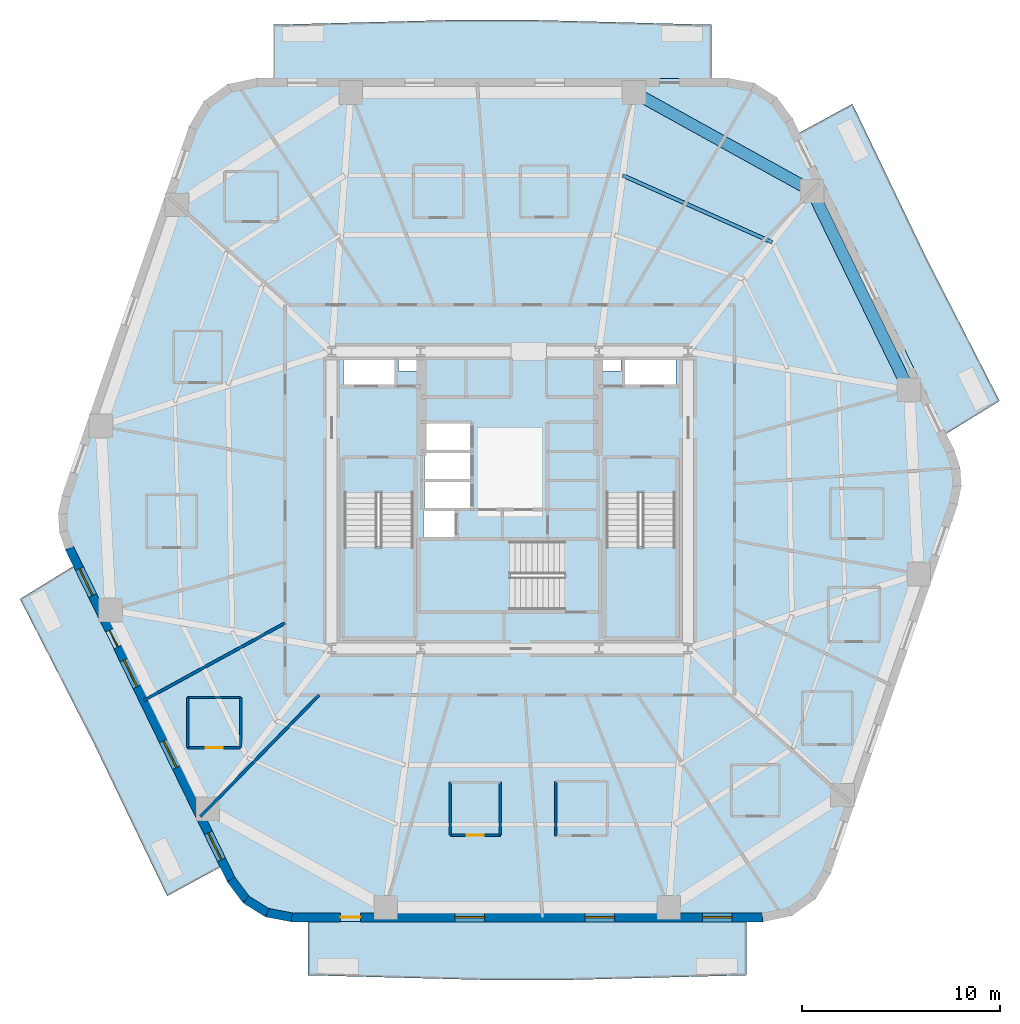
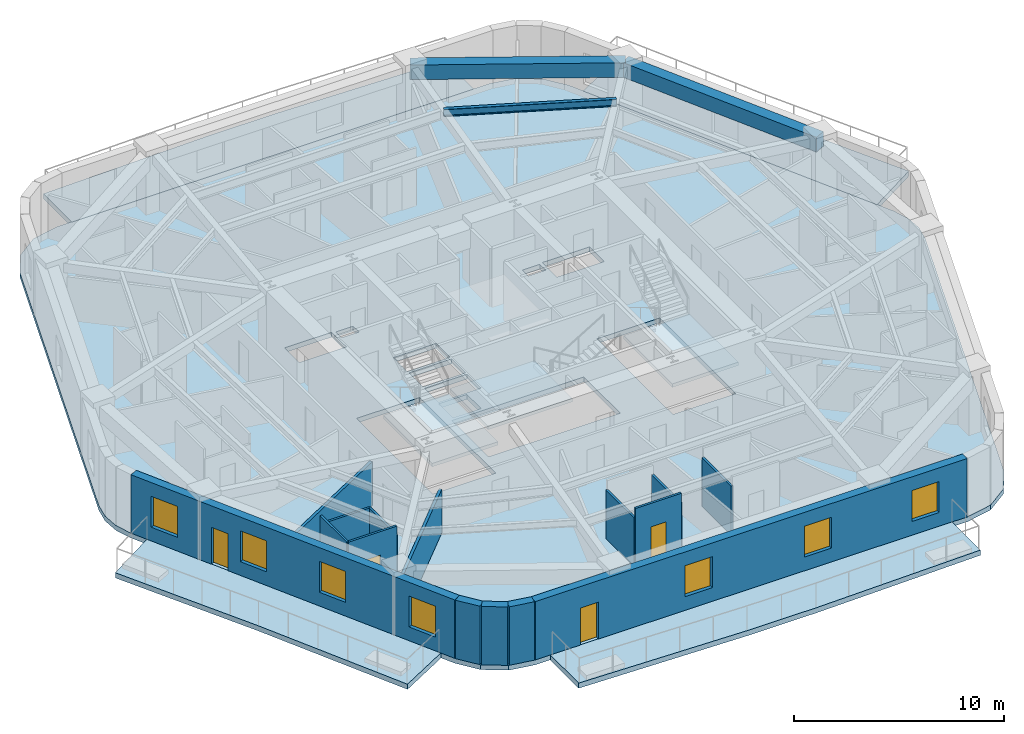
# One storey, part 2 of 10: 15 walls, 8 slabs, 7 windows, 4 doors, 3 beams, 11 openings, 3 elements without a shape of their own.
"""IFC4 building model written with IfcOpenShell, lengths in metres."""

import ifcopenshell
import ifcopenshell.guid

model = None  # the IFC model being written
_history = None  # IfcOwnerHistory: only IFC2X3 demands one
_inside = {}  # id of a spatial element -> (the spatial element, [elements in it])
_under = {}  # id of a project, library or spatial element -> (it, [spatial elements below it])
_declared = {}  # id of a project -> (the project, [libraries it declares])
_typed = {}  # id of a type object -> (the type object, [elements of that type])
_made_of = {}  # id of a material, layer set ... -> (it, [elements and type objects made of it])


def new_model(schema):
    """Start an empty IFC model of exactly this schema.

    Asked for "IFC4X3", IfcOpenShell would pick the latest addendum, in which some entities
    have other attributes; the version numbers below select the first issue.
    IFC2X3 requires an IfcOwnerHistory on every rooted entity: one is made here for all.
    """
    global model, _history
    if schema == "IFC4X3":
        model = ifcopenshell.file(schema_version=(4, 3, 0, 0))
    else:
        model = ifcopenshell.file(schema=schema)
    _inside.clear()
    _under.clear()
    _declared.clear()
    _typed.clear()
    _made_of.clear()
    _history = None
    if model.schema == "IFC2X3":
        org = make("IfcOrganization", Name="unknown")
        user = make(
            "IfcPersonAndOrganization",
            ThePerson=make("IfcPerson", FamilyName="unknown"),
            TheOrganization=org,
        )
        app = make(
            "IfcApplication",
            ApplicationDeveloper=org,
            Version="unknown",
            ApplicationFullName="unknown",
            ApplicationIdentifier="unknown",
        )
        _history = make(
            "IfcOwnerHistory",
            OwningUser=user,
            OwningApplication=app,
            ChangeAction="ADDED",
            CreationDate=0,
        )
    return model


def make(cls, **values):
    """One entity of the class cls with the attributes given. An attribute that is None is left unset."""
    return model.create_entity(
        cls, **{name: value for name, value in values.items() if value is not None}
    )


def rooted(cls, **values):
    """An entity with a GlobalId (a new one), such as an element, a storey or a relation."""
    return make(cls, GlobalId=ifcopenshell.guid.new(), OwnerHistory=_history, **values)


def si_unit(unit_type, name, prefix=None):
    """IfcSIUnit, for example si_unit("LENGTHUNIT", "METRE", prefix="MILLI")."""
    return make("IfcSIUnit", UnitType=unit_type, Prefix=prefix, Name=name)


def assignment(units):
    """IfcUnitAssignment: the units of a project."""
    return None if units is None else make("IfcUnitAssignment", Units=units)


def point(xyz):
    """IfcCartesianPoint."""
    return None if xyz is None else make("IfcCartesianPoint", Coordinates=xyz)


def direction(xyz):
    """IfcDirection."""
    return None if xyz is None else make("IfcDirection", DirectionRatios=xyz)


def frame(location, z_axis=None, x_axis=None):
    """IfcAxis2Placement3D, a coordinate frame: its origin and axes. An axis left out is left unset."""
    return make(
        "IfcAxis2Placement3D",
        Location=point(location),
        Axis=direction(z_axis),
        RefDirection=direction(x_axis),
    )


def frame_2d(location, x_axis=None):
    """IfcAxis2Placement2D, a coordinate frame in the plane: its origin and x axis."""
    return make(
        "IfcAxis2Placement2D", Location=point(location), RefDirection=direction(x_axis)
    )


def origin():
    """The frame at (0, 0, 0) with its axes left unset."""
    return frame((0.0, 0.0, 0.0))


def origin_2d():
    """The frame at (0, 0) in the plane with its x axis left unset."""
    return frame_2d((0.0, 0.0))


def place(relative_to, where):
    """IfcLocalPlacement: puts the frame where relative to a parent placement (None: the world)."""
    return make(
        "IfcLocalPlacement", PlacementRelTo=relative_to, RelativePlacement=where
    )


def context(
    kind, dimensions, precision=None, world=None, true_north=None, identifier=None
):
    """IfcGeometricRepresentationContext, for example the 3D "Model" context."""
    return make(
        "IfcGeometricRepresentationContext",
        ContextIdentifier=identifier,
        ContextType=kind,
        CoordinateSpaceDimension=dimensions,
        Precision=precision,
        WorldCoordinateSystem=world,
        TrueNorth=true_north,
    )


def subcontext(parent, identifier, kind, view, scale=None):
    """IfcGeometricRepresentationSubContext, for example "Body" below "Model"."""
    return make(
        "IfcGeometricRepresentationSubContext",
        ContextIdentifier=identifier,
        ContextType=kind,
        ParentContext=parent,
        TargetScale=scale,
        TargetView=view,
    )


def project(units=None, contexts=None):
    """IfcProject with its units and contexts."""
    return rooted(
        "IfcProject",
        Name="project",
        RepresentationContexts=contexts,
        UnitsInContext=assignment(units),
    )


def spatial(cls, under=None, at=None, **own):
    """A site, building, storey or space (cls), placed at a placement, below another one or the project."""
    s = rooted(cls, ObjectPlacement=at, **own)
    if under is not None:
        _under.setdefault(under.id(), (under, []))[1].append(s)
    return s


def polyline(points):
    """IfcPolyline through the points."""
    return make("IfcPolyline", Points=[point(p) for p in points])


def profile(cls, at=None, kind="AREA", **sizes):
    """A parametric profile (cls). Its sizes go by their IFC names, for example OverallWidth=200.0."""
    return make(cls, ProfileType=kind, Position=at, **sizes)


def rectangle(**sizes):
    """IfcRectangleProfileDef."""
    return profile("IfcRectangleProfileDef", **sizes)


def i_section(**sizes):
    """IfcIShapeProfileDef."""
    return profile("IfcIShapeProfileDef", **sizes)


def outline(outer, holes=None, kind="AREA"):
    """IfcArbitraryClosedProfileDef: a profile drawn as a closed curve; with holes, ...WithVoids."""
    if holes is None:
        return make("IfcArbitraryClosedProfileDef", ProfileType=kind, OuterCurve=outer)
    return make(
        "IfcArbitraryProfileDefWithVoids",
        ProfileType=kind,
        OuterCurve=outer,
        InnerCurves=holes,
    )


def extrude(swept, where, along, depth):
    """IfcExtrudedAreaSolid: the profile swept, set in the frame where, extruded along a direction by depth."""
    return make(
        "IfcExtrudedAreaSolid",
        SweptArea=swept,
        Position=where,
        ExtrudedDirection=direction(along),
        Depth=depth,
    )


def shape(context_of_items, identifier, shape_type, items):
    """IfcShapeRepresentation: the items that make up one representation, for example the "Body"."""
    return make(
        "IfcShapeRepresentation",
        ContextOfItems=context_of_items,
        RepresentationIdentifier=identifier,
        RepresentationType=shape_type,
        Items=items,
    )


def material(Name=None, Category=None):
    """IfcMaterial."""
    return make("IfcMaterial", Name=Name, Category=Category)


def layer(
    of_material, thickness, ventilated=None, Name=None, Category=None, Priority=None
):
    """IfcMaterialLayer: one layer of a wall or slab, of a material (None: an air gap)."""
    return make(
        "IfcMaterialLayer",
        Material=of_material,
        LayerThickness=thickness,
        IsVentilated=ventilated,
        Name=Name,
        Category=Category,
        Priority=Priority,
    )


def layer_set(layers, Name=None):
    """IfcMaterialLayerSet."""
    return make("IfcMaterialLayerSet", MaterialLayers=layers, LayerSetName=Name)


def material_profile(
    of_material, cross_section, Name=None, Category=None, Priority=None
):
    """IfcMaterialProfile: a cross section and its material."""
    return make(
        "IfcMaterialProfile",
        Name=Name,
        Material=of_material,
        Profile=cross_section,
        Priority=Priority,
        Category=Category,
    )


def profile_set(profiles, Name=None, composite=None):
    """IfcMaterialProfileSet."""
    return make(
        "IfcMaterialProfileSet",
        Name=Name,
        MaterialProfiles=profiles,
        CompositeProfile=composite,
    )


def made_of(thing, what):
    """Note that an element or type object is made of a material, layer set ...; save() writes the relation."""
    if what is not None:
        _made_of.setdefault(what.id(), (what, []))[1].append(thing)
    return thing


def type_object(cls, material=None, **own):
    """A type object (cls), such as IfcWallType, which elements share."""
    return made_of(rooted(cls, **own), material)


def element(
    cls,
    number,
    at=None,
    inside=None,
    cuts=None,
    type_object=None,
    material=None,
    context=None,
    identifier="Body",
    shape_type=None,
    held_by="IfcProductDefinitionShape",
    body=None,
    shapes=None,
    **own,
):
    """One element of the class cls, such as IfcWall. Its Tag is "e" and its number.

    at: its placement. inside: the storey or other place that contains it. cuts: it is an
    opening in that element (IfcRelVoidsElement). A single representation is given by context,
    identifier, shape_type and body (its items); several are given by shapes. held_by: the class
    of the entity that holds the representations. save() writes the other relations.
    """
    e = rooted(cls, Tag="e%d" % number, ObjectPlacement=at, **own)
    if body is not None:
        shapes = [shape(context, identifier, shape_type, body)]
    if shapes is not None:
        e.Representation = make(held_by, Representations=shapes)
    if inside is not None:
        _inside.setdefault(inside.id(), (inside, []))[1].append(e)
    if cuts is not None:
        rooted(
            "IfcRelVoidsElement", RelatingBuildingElement=cuts, RelatedOpeningElement=e
        )
    if type_object is not None:
        _typed.setdefault(type_object.id(), (type_object, []))[1].append(e)
    return made_of(e, material)


def fill(opening, filler):
    """IfcRelFillsElement: the door or window that sits in an opening."""
    return rooted(
        "IfcRelFillsElement",
        RelatingOpeningElement=opening,
        RelatedBuildingElement=filler,
    )


def aggregate(whole, parts):
    """IfcRelAggregates: a whole, such as a stair, and the parts it consists of."""
    return rooted("IfcRelAggregates", RelatingObject=whole, RelatedObjects=parts)


def save(model, path):
    """Write the relations noted so far, then the file.

    IfcRelAggregates (storeys below a building ...), IfcRelContainedInSpatialStructure (elements
    in a storey), IfcRelDefinesByType, IfcRelAssociatesMaterial and IfcRelDeclares: one each for
    every whole, place, type object, material and project.
    """
    for whole, parts in _under.values():
        aggregate(whole, parts)
    for where, things in _inside.values():
        rooted(
            "IfcRelContainedInSpatialStructure",
            RelatedElements=things,
            RelatingStructure=where,
        )
    for kind, things in _typed.values():
        rooted("IfcRelDefinesByType", RelatedObjects=things, RelatingType=kind)
    for what, things in _made_of.values():
        rooted("IfcRelAssociatesMaterial", RelatedObjects=things, RelatingMaterial=what)
    for by, libraries in _declared.values():
        rooted("IfcRelDeclares", RelatingContext=by, RelatedDefinitions=libraries)
    model.write(path)


model = new_model("IFC4")

# Units and contexts
model_context = context("Model", 3, precision=1e-05, world=origin(), true_north=direction((0.0, 1.0)))
body_context = subcontext(model_context, "Body", "Model", "MODEL_VIEW")
ifc_project = project(units=[si_unit("LENGTHUNIT", "METRE"), si_unit("AREAUNIT", "SQUARE_METRE"), si_unit("VOLUMEUNIT", "CUBIC_METRE"), si_unit("PLANEANGLEUNIT", "RADIAN"), si_unit("MASSUNIT", "GRAM", prefix="KILO")], contexts=[model_context])

# Site, building, storey
site_placement = place(None, origin())
site = spatial("IfcSite", under=ifc_project, at=site_placement, CompositionType="ELEMENT")
building_placement = place(site_placement, origin())
building = spatial("IfcBuilding", under=site, at=building_placement, Name="Kilnhurst Terrace Hotel", CompositionType="ELEMENT")
storey_placement = place(building_placement, frame((0.0, 0.0, 98.800048828125)))
storey = spatial("IfcBuildingStorey", under=building, at=storey_placement, Name="L23", CompositionType="ELEMENT", Elevation=98.800048828125)

# Beams
ifc_material_1 = material(Name="Concrete C50/60", Category="concrete")
ifc_material_profile_1 = material_profile(ifc_material_1, rectangle(XDim=0.60009765625, YDim=0.85009765625, at=origin_2d()), Name="RC600X850")
ifc_profile_set_1 = profile_set([ifc_material_profile_1], Name="Concrete C50/60")
beam_type_1 = type_object("IfcBeamType", Name="BM-SPN-600X850", PredefinedType="SPANDREL", material=ifc_profile_set_1)
beam_1_placement = place(storey_placement, frame((20.1640625, 5.549072265625, 2.974853515625), z_axis=(-0.438406012271, 0.89877704043, 0.0), x_axis=(-0.89877704043, -0.438406012271, 0.0)))
element("IfcBeam", 1, at=beam_1_placement, inside=storey, type_object=beam_type_1, Name="L23 Perimeter Spandrel Beam 5", PredefinedType="SPANDREL", context=body_context, shape_type="SweptSolid", body=[
    extrude(rectangle(XDim=0.60009765625, YDim=0.85009765625, at=origin_2d()), origin(), (0.0, 0.0, 1.0), 11.19287109375),
])
beam_2_placement = place(storey_placement, frame((15.257080078125, 15.60888671875, 2.974853515625), z_axis=(-0.875094010429, 0.483952965598, 0.0), x_axis=(-0.483952965598, -0.875094010429, 0.0)))
element("IfcBeam", 2, at=beam_2_placement, inside=storey, type_object=beam_type_1, Name="L23 Perimeter Spandrel Beam 6", PredefinedType="SPANDREL", context=body_context, shape_type="SweptSolid", body=[
    extrude(rectangle(XDim=0.60009765625, YDim=0.85009765625, at=origin_2d()), origin(), (0.0, 0.0, 1.0), 10.27197265625),
])
ifc_material_2 = material(Name="Steel ASTM A992 Grade 50", Category="steel")
ifc_material_profile_2 = material_profile(ifc_material_2, i_section(OverallWidth=0.180908203125, OverallDepth=0.417236328125, WebThickness=0.010986328125, FlangeThickness=0.018310546875, at=origin_2d()), Name="W16X57")
ifc_profile_set_2 = profile_set([ifc_material_profile_2], Name="Steel ASTM A992 Grade 50")
beam_type_2 = type_object("IfcBeamType", Name="JST-STL-W16X57", PredefinedType="JOIST", material=ifc_profile_set_2)
beam_3_placement = place(storey_placement, frame((13.2548828125, 13.01416015625, 3.19091796875), z_axis=(-0.912760935806, 0.408494154262, 0.0), x_axis=(-0.408494154262, -0.912760935806, 0.0)))
element("IfcBeam", 3, at=beam_3_placement, inside=storey, type_object=beam_type_2, Name="L23 Secondary Floor Steel Joist OUT.6", PredefinedType="JOIST", context=body_context, shape_type="SweptSolid", body=[
    extrude(i_section(OverallWidth=0.180908203125, OverallDepth=0.417236328125, WebThickness=0.010986328125, FlangeThickness=0.018310546875, at=origin_2d()), origin(), (0.0, 0.0, 1.0), 8.274658203125),
])

# Slabs
ifc_layer_1 = layer(ifc_material_1, 0.300048828125, Name="Concrete C50/60")
ifc_layer_set_1 = layer_set([ifc_layer_1], Name="Concrete C50/60")
slab_type_1 = type_object("IfcSlabType", Name="SLB-BAL-300", PredefinedType="FLOOR", material=ifc_layer_set_1)
slab_1_placement = place(storey_placement, frame((0.0, 0.0, -0.300048828125)))
element("IfcSlab", 4, at=slab_1_placement, inside=storey, type_object=slab_type_1, Name="L23 Cantilevered Planted Terrace Slab BAL-L1A", PredefinedType="FLOOR", context=body_context, shape_type="SweptSolid", body=[
    extrude(outline(polyline([(21.044921875, 12.205810546875), (24.734130859375, 5.0), (22.023193359375, 3.333740234375), (14.6083984375, 18.53564453125), (17.301513671875, 20.0), (21.044921875, 12.205810546875)])), origin(), (0.0, 0.0, 1.0), 0.300048828125),
])
slab_2_placement = place(storey_placement, frame((0.0, 0.0, -0.300048828125)))
element("IfcSlab", 5, at=slab_2_placement, inside=storey, type_object=slab_type_1, Name="L23 Cantilevered Planted Terrace Slab BAL-L1B", PredefinedType="FLOOR", context=body_context, shape_type="SweptSolid", body=[
    extrude(outline(polyline([(1.027099609375, 24.239990234375), (10.18310546875, 24.0), (10.18310546875, 21.280029296875), (-11.943603515625, 21.280029296875), (-11.943603515625, 24.0), (-2.787841796875, 24.239990234375), (1.027099609375, 24.239990234375)])), origin(), (0.0, 0.0, 1.0), 0.300048828125),
])
slab_3_placement = place(storey_placement, frame((0.0, 0.0, -0.300048828125)))
element("IfcSlab", 6, at=slab_3_placement, inside=storey, type_object=slab_type_1, Name="L23 Cantilevered Planted Terrace Slab BAL-L2A", PredefinedType="FLOOR", context=body_context, shape_type="SweptSolid", body=[
    extrude(outline(polyline([(-24.734130859375, -5.0), (-22.023193359375, -3.333740234375), (-14.6083984375, -18.53564453125), (-17.301513671875, -20.0), (-21.044921875, -12.205810546875), (-24.734130859375, -5.0)])), origin(), (0.0, 0.0, 1.0), 0.300048828125),
])
slab_4_placement = place(storey_placement, frame((0.0, 0.0, -0.300048828125)))
element("IfcSlab", 7, at=slab_4_placement, inside=storey, type_object=slab_type_1, Name="L23 Cantilevered Planted Terrace Slab BAL-L2B", PredefinedType="FLOOR", context=body_context, shape_type="SweptSolid", body=[
    extrude(outline(polyline([(-1.027099609375, -24.239990234375), (-10.18310546875, -24.0), (-10.18310546875, -21.280029296875), (11.943603515625, -21.280029296875), (11.943603515625, -24.0), (2.787841796875, -24.239990234375), (-1.027099609375, -24.239990234375)])), origin(), (0.0, 0.0, 1.0), 0.300048828125),
])
ifc_layer_2 = layer(ifc_material_1, 0.280029296875, Name="Concrete C50/60")
ifc_layer_set_2 = layer_set([ifc_layer_2], Name="Concrete C50/60")
slab_type_2 = type_object("IfcSlabType", Name="SLB-FLR-280", PredefinedType="FLOOR", material=ifc_layer_set_2)
slab_5_placement = place(storey_placement, frame((0.0, 0.0, -0.280029296875)))
element("IfcSlab", 8, at=slab_5_placement, inside=storey, type_object=slab_type_2, Name="L23 Structural Floor Slab", PredefinedType="FLOOR", context=body_context, shape_type="SweptSolid", body=[
    extrude(outline(polyline([(-14.2685546875, -19.2783203125), (-13.472900390625, -20.34716796875), (-12.342529296875, -21.05322265625), (-11.032958984375, -21.300048828125), (12.793701171875, -21.300048828125), (14.23876953125, -20.997314453125), (15.44091796875, -20.139892578125), (16.197509765625, -18.872314453125), (22.614501953125, -0.238525390625), (22.8017578125, 0.6826171875), (22.744384765625, 1.62060546875), (22.4462890625, 2.51171875), (14.2685546875, 19.2783203125), (13.472900390625, 20.34716796875), (12.342529296875, 21.05322265625), (11.032958984375, 21.300048828125), (-12.793701171875, 21.300048828125), (-14.23876953125, 20.997314453125), (-15.44091796875, 20.139892578125), (-16.197509765625, 18.872314453125), (-22.614501953125, 0.238525390625), (-22.8017578125, -0.6826171875), (-22.744384765625, -1.62060546875), (-22.4462890625, -2.51171875), (-14.2685546875, -19.2783203125)]), holes=[polyline([(-8.35009765625, 0.35498046875), (-4.8798828125, 0.35498046875), (-4.8798828125, -6.89990234375), (-8.35009765625, -6.89990234375), (-8.35009765625, 0.35498046875)]), polyline([(-2.800048828125, -1.89990234375), (-4.35009765625, -1.89990234375), (-4.35009765625, -0.550048828125), (-2.800048828125, -0.550048828125), (-2.800048828125, -1.89990234375)]), polyline([(-1.949951171875, -0.429931640625), (-4.300048828125, -0.429931640625), (-4.300048828125, 0.89990234375), (-1.949951171875, 0.89990234375), (-1.949951171875, -0.429931640625)]), polyline([(-4.300048828125, 1.050048828125), (-4.300048828125, 2.3798828125), (-1.949951171875, 2.3798828125), (-1.949951171875, 1.050048828125), (-4.300048828125, 1.050048828125)]), polyline([(-8.39990234375, 5.75), (-8.39990234375, 7.14990234375), (-5.800048828125, 7.14990234375), (-5.800048828125, 5.75), (-8.39990234375, 5.75)]), polyline([(-4.659912109375, 6.52001953125), (-5.6201171875, 6.52001953125), (-5.6201171875, 7.080078125), (-4.659912109375, 7.080078125), (-4.659912109375, 6.52001953125)]), polyline([(2.7548828125, -5.550048828125), (-4.5, -5.550048828125), (-4.5, -2.080078125), (2.7548828125, -2.080078125), (2.7548828125, -5.550048828125)]), polyline([(8.35009765625, 0.35498046875), (8.35009765625, -6.89990234375), (4.8798828125, -6.89990234375), (4.8798828125, 0.35498046875), (8.35009765625, 0.35498046875)]), polyline([(-1.949951171875, 2.530029296875), (-4.300048828125, 2.530029296875), (-4.300048828125, 3.860107421875), (-1.949951171875, 3.860107421875), (-1.949951171875, 2.530029296875)]), polyline([(5.800048828125, 5.75), (5.800048828125, 7.14990234375), (8.39990234375, 7.14990234375), (8.39990234375, 5.75), (5.800048828125, 5.75)]), polyline([(4.659912109375, 6.52001953125), (4.659912109375, 7.080078125), (5.6201171875, 7.080078125), (5.6201171875, 6.52001953125), (4.659912109375, 6.52001953125)])]), origin(), (0.0, 0.0, 1.0), 0.280029296875),
])

# Stair, slab
stair_type = type_object("IfcStairType", Name="STR-CORE-1660", PredefinedType="HALF_TURN_STAIR", material=ifc_material_1)
stair_1_placement = place(storey_placement, origin())
stair_1 = element("IfcStair", 9, at=stair_1_placement, inside=storey, type_object=stair_type, Name="L23 ST-1", PredefinedType="HALF_TURN_STAIR")
ifc_layer_3 = layer(ifc_material_1, 0.199951171875, Name="Concrete C50/60")
ifc_layer_set_3 = layer_set([ifc_layer_3], Name="Concrete C50/60")
slab_type_3 = type_object("IfcSlabType", Name="SLB-ST-LND-200", PredefinedType="LANDING", material=ifc_layer_set_3)
slab_6_placement = place(storey_placement, frame((0.0, 0.0, 1.64990234375)))
slab_6 = element("IfcSlab", 10, at=slab_6_placement, type_object=slab_type_3, Name="ST-1 landing 1", PredefinedType="LANDING", context=body_context, shape_type="SweptSolid", body=[
    extrude(outline(polyline([(-8.429931640625, -2.330078125), (-4.800048828125, -2.330078125), (-4.800048828125, -6.97998046875), (-8.429931640625, -6.97998046875), (-8.429931640625, -2.330078125)])), origin(), (0.0, 0.0, 1.0), 0.199951171875),
])
aggregate(stair_1, [slab_6])

stair_2_placement = place(storey_placement, origin())
stair_2 = element("IfcStair", 11, at=stair_2_placement, inside=storey, type_object=stair_type, Name="L23 ST-2", PredefinedType="HALF_TURN_STAIR")
slab_7_placement = place(storey_placement, frame((0.0, 0.0, 1.64990234375)))
slab_7 = element("IfcSlab", 12, at=slab_7_placement, type_object=slab_type_3, Name="ST-2 landing 1", PredefinedType="LANDING", context=body_context, shape_type="SweptSolid", body=[
    extrude(outline(polyline([(4.800048828125, -2.330078125), (8.429931640625, -2.330078125), (8.429931640625, -6.97998046875), (4.800048828125, -6.97998046875), (4.800048828125, -2.330078125)])), origin(), (0.0, 0.0, 1.0), 0.199951171875),
])
aggregate(stair_2, [slab_7])

stair_3_placement = place(storey_placement, origin())
stair_3 = element("IfcStair", 13, at=stair_3_placement, inside=storey, type_object=stair_type, Name="L23 ST-3", PredefinedType="HALF_TURN_STAIR")
slab_8_placement = place(storey_placement, frame((0.0, 0.0, 1.64990234375)))
slab_8 = element("IfcSlab", 14, at=slab_8_placement, type_object=slab_type_3, Name="ST-3 landing 1", PredefinedType="LANDING", context=body_context, shape_type="SweptSolid", body=[
    extrude(outline(polyline([(0.070068359375, -2.0), (0.070068359375, -5.6298828125), (-4.580078125, -5.6298828125), (-4.580078125, -2.0), (0.070068359375, -2.0)])), origin(), (0.0, 0.0, 1.0), 0.199951171875),
])
aggregate(stair_3, [slab_8])

# Walls
ifc_material_3 = material(Name="Precast concrete C40/50", Category="concrete")
ifc_layer_4 = layer(ifc_material_3, 0.449951171875, Name="Precast concrete C40/50")
ifc_layer_set_4 = layer_set([ifc_layer_4], Name="Precast concrete C40/50")
wall_type_1 = type_object("IfcWallType", Name="WL-BRK-450", PredefinedType="SOLIDWALL", material=ifc_layer_set_4)
wall_1_placement = place(storey_placement, frame((-14.07568359375, -19.16064453125, 0.0), z_axis=(0.0, 0.0, 1.0), x_axis=(0.597226657159, -0.802072515412, 0.0)))
element("IfcWall", 15, at=wall_1_placement, inside=storey, type_object=wall_type_1, Name="L23 Rounded Corner Brick Wall C1.1", PredefinedType="SOLIDWALL", context=body_context, shape_type="SweptSolid", body=[
    extrude(rectangle(XDim=1.269287109375, YDim=0.449951171875, at=frame_2d((0.634765625, 0.0))), origin(), (0.0, 0.0, 1.0), 3.39990234375),
])
wall_2_placement = place(storey_placement, frame((-13.317626953125, -20.1787109375, 0.0), z_axis=(0.0, 0.0, 1.0), x_axis=(0.848031272749, -0.529946186362, 0.0)))
element("IfcWall", 16, at=wall_2_placement, inside=storey, type_object=wall_type_1, Name="L23 Rounded Corner Brick Wall C1.2", PredefinedType="SOLIDWALL", context=body_context, shape_type="SweptSolid", body=[
    extrude(rectangle(XDim=1.248046875, YDim=0.449951171875, at=frame_2d((0.6240234375, 0.0))), origin(), (0.0, 0.0, 1.0), 3.39990234375),
])
wall_3_placement = place(storey_placement, frame((-12.25927734375, -20.840087890625, 0.0), z_axis=(0.0, 0.0, 1.0), x_axis=(0.982730354425, -0.185043374624, 0.0)))
element("IfcWall", 17, at=wall_3_placement, inside=storey, type_object=wall_type_1, Name="L23 Rounded Corner Brick Wall C1.3", PredefinedType="SOLIDWALL", context=body_context, shape_type="SweptSolid", body=[
    extrude(rectangle(XDim=1.269287109375, YDim=0.449951171875, at=frame_2d((0.634765625, 0.0))), origin(), (0.0, 0.0, 1.0), 3.39990234375),
])

# Wall, openings, door, windows
wall_4_placement = place(storey_placement, frame((-11.011962890625, -21.074951171875, 0.0), z_axis=(0.0, 0.0, 1.0), x_axis=(1.0, 0.0, 0.0)))
wall_4 = element("IfcWall", 18, at=wall_4_placement, inside=storey, type_object=wall_type_1, Name="L23 Exterior Brick Facade Wall F1", PredefinedType="SOLIDWALL", context=body_context, shape_type="SweptSolid", body=[
    extrude(rectangle(XDim=23.782470703125, YDim=0.449951171875, at=frame_2d((11.89111328125, 0.0))), origin(), (0.0, 0.0, 1.0), 3.39990234375),
])
opening_1_placement = place(wall_4_placement, frame((2.472900390625, 0.0, 0.0)))
opening_1 = element("IfcOpeningElement", 19, at=opening_1_placement, cuts=wall_4, Name="Opening BD-1000", PredefinedType="OPENING", context=body_context, shape_type="SweptSolid", body=[
    extrude(rectangle(XDim=1.0, YDim=2.14990234375, at=frame_2d((0.5, 1.074951171875))), frame((0.0, 0.23486328125, 0.0), z_axis=(0.0, -1.0, 0.0), x_axis=(1.0, 0.0, 0.0)), (0.0, 0.0, 1.0), 0.469970703125),
])
opening_2_placement = place(wall_4_placement, frame((8.243896484375, 0.0, 0.800048828125)))
opening_2 = element("IfcOpeningElement", 20, at=opening_2_placement, cuts=wall_4, Name="Opening W-02", PredefinedType="OPENING", context=body_context, shape_type="SweptSolid", body=[
    extrude(rectangle(XDim=1.5, YDim=1.800048828125, at=frame_2d((0.75, 0.89990234375))), frame((0.0, 0.23486328125, 0.0), z_axis=(0.0, -1.0, 0.0), x_axis=(1.0, 0.0, 0.0)), (0.0, 0.0, 1.0), 0.469970703125),
])
opening_3_placement = place(wall_4_placement, frame((14.81103515625, 0.0, 0.800048828125)))
opening_3 = element("IfcOpeningElement", 21, at=opening_3_placement, cuts=wall_4, Name="Opening W-02", PredefinedType="OPENING", context=body_context, shape_type="SweptSolid", body=[
    extrude(rectangle(XDim=1.5, YDim=1.800048828125, at=frame_2d((0.75, 0.89990234375))), frame((0.0, 0.23486328125, 0.0), z_axis=(0.0, -1.0, 0.0), x_axis=(1.0, 0.0, 0.0)), (0.0, 0.0, 1.0), 0.469970703125),
])
opening_4_placement = place(wall_4_placement, frame((20.740966796875, 0.0, 0.800048828125)))
opening_4 = element("IfcOpeningElement", 22, at=opening_4_placement, cuts=wall_4, Name="Opening W-02", PredefinedType="OPENING", context=body_context, shape_type="SweptSolid", body=[
    extrude(rectangle(XDim=1.5, YDim=1.800048828125, at=frame_2d((0.75, 0.89990234375))), frame((0.0, 0.23486328125, 0.0), z_axis=(0.0, -1.0, 0.0), x_axis=(1.0, 0.0, 0.0)), (0.0, 0.0, 1.0), 0.469970703125),
])
ifc_material_4 = material(Name="Thermally Broken Bronze Aluminium Alloy 6063-T6 and Laminated Glass", Category="aluminium")
door_type_1 = type_object("IfcDoorType", Name="DR-EXT-BAL-1000", OperationType="NOTDEFINED", PredefinedType="DOOR", material=ifc_material_4)
door_1_placement = place(opening_1_placement, origin())
door_1 = element("IfcDoor", 23, at=door_1_placement, inside=storey, type_object=door_type_1, Name="L23 Planted Balcony Door BAL-L2B", OperationType="SINGLE_SWING_LEFT", OverallHeight=2.14990234375, OverallWidth=1.0, PredefinedType="DOOR", context=body_context, shape_type="SweptSolid", body=[
    extrude(rectangle(XDim=1.0, YDim=2.14990234375, at=frame_2d((0.5, 1.074951171875))), frame((0.0, 0.02490234375, 0.0), z_axis=(0.0, -1.0, 0.0), x_axis=(1.0, 0.0, 0.0)), (0.0, 0.0, 1.0), 0.050048828125),
])
fill(opening_1, door_1)
ifc_material_5 = material(Name="Thermally Broken Bronze Aluminium Alloy 6063-T6 and Low-E Glass", Category="aluminium")
window_type = type_object("IfcWindowType", Name="WIN-1500X1800", PartitioningType="SINGLE_PANEL", PredefinedType="WINDOW", material=ifc_material_5)
window_1_placement = place(opening_2_placement, origin())
window_1 = element("IfcWindow", 24, at=window_1_placement, inside=storey, type_object=window_type, Name="L23 Deep-Set Masonry Window F1.1", OverallHeight=1.800048828125, OverallWidth=1.5, PartitioningType="SINGLE_PANEL", PredefinedType="WINDOW", context=body_context, shape_type="SweptSolid", body=[
    extrude(rectangle(XDim=1.5, YDim=1.800048828125, at=frame_2d((0.75, 0.89990234375))), frame((0.0, 0.030029296875, 0.0), z_axis=(0.0, -1.0, 0.0), x_axis=(1.0, 0.0, 0.0)), (0.0, 0.0, 1.0), 0.06005859375),
])
fill(opening_2, window_1)
window_2_placement = place(opening_3_placement, origin())
window_2 = element("IfcWindow", 25, at=window_2_placement, inside=storey, type_object=window_type, Name="L23 Deep-Set Masonry Window F1.2", OverallHeight=1.800048828125, OverallWidth=1.5, PartitioningType="SINGLE_PANEL", PredefinedType="WINDOW", context=body_context, shape_type="SweptSolid", body=[
    extrude(rectangle(XDim=1.5, YDim=1.800048828125, at=frame_2d((0.75, 0.89990234375))), frame((0.0, 0.030029296875, 0.0), z_axis=(0.0, -1.0, 0.0), x_axis=(1.0, 0.0, 0.0)), (0.0, 0.0, 1.0), 0.06005859375),
])
fill(opening_3, window_2)
window_3_placement = place(opening_4_placement, origin())
window_3 = element("IfcWindow", 26, at=window_3_placement, inside=storey, type_object=window_type, Name="L23 Deep-Set Masonry Window F1.3", OverallHeight=1.800048828125, OverallWidth=1.5, PartitioningType="SINGLE_PANEL", PredefinedType="WINDOW", context=body_context, shape_type="SweptSolid", body=[
    extrude(rectangle(XDim=1.5, YDim=1.800048828125, at=frame_2d((0.75, 0.89990234375))), frame((0.0, 0.030029296875, 0.0), z_axis=(0.0, -1.0, 0.0), x_axis=(1.0, 0.0, 0.0)), (0.0, 0.0, 1.0), 0.06005859375),
])
fill(opening_4, window_3)

wall_5_placement = place(storey_placement, frame((-22.237548828125, -2.426513671875, 0.0), z_axis=(0.0, 0.0, 1.0), x_axis=(0.438374803278, -0.898792262901, 0.0)))
wall_5 = element("IfcWall", 27, at=wall_5_placement, inside=storey, type_object=wall_type_1, Name="L23 Exterior Brick Facade Wall F6", PredefinedType="SOLIDWALL", context=body_context, shape_type="SweptSolid", body=[
    extrude(rectangle(XDim=18.618408203125, YDim=0.449951171875, at=frame_2d((9.30908203125, 0.0))), origin(), (0.0, 0.0, 1.0), 3.39990234375),
])
opening_5_placement = place(wall_5_placement, frame((4.6201171875, 0.0, 0.0)))
opening_5 = element("IfcOpeningElement", 28, at=opening_5_placement, cuts=wall_5, Name="Opening BD-950", PredefinedType="OPENING", context=body_context, shape_type="SweptSolid", body=[
    extrude(rectangle(XDim=0.949951171875, YDim=2.14990234375, at=frame_2d((0.47509765625, 1.074951171875))), frame((0.0, 0.23486328125, 0.0), z_axis=(0.0, -1.0, 0.0), x_axis=(1.0, 0.0, 0.0)), (0.0, 0.0, 1.0), 0.469970703125),
])
opening_6_placement = place(wall_5_placement, frame((1.1630859375, 0.0, 0.800048828125)))
opening_6 = element("IfcOpeningElement", 29, at=opening_6_placement, cuts=wall_5, Name="Opening W-02", PredefinedType="OPENING", context=body_context, shape_type="SweptSolid", body=[
    extrude(rectangle(XDim=1.5, YDim=1.800048828125, at=frame_2d((0.75, 0.89990234375))), frame((0.0, 0.23486328125, 0.0), z_axis=(0.0, -1.0, 0.0), x_axis=(1.0, 0.0, 0.0)), (0.0, 0.0, 1.0), 0.469970703125),
])
opening_7_placement = place(wall_5_placement, frame((6.291015625, 0.0, 0.800048828125)))
opening_7 = element("IfcOpeningElement", 30, at=opening_7_placement, cuts=wall_5, Name="Opening W-02", PredefinedType="OPENING", context=body_context, shape_type="SweptSolid", body=[
    extrude(rectangle(XDim=1.5, YDim=1.800048828125, at=frame_2d((0.75, 0.89990234375))), frame((0.0, 0.23486328125, 0.0), z_axis=(0.0, -1.0, 0.0), x_axis=(1.0, 0.0, 0.0)), (0.0, 0.0, 1.0), 0.469970703125),
])
opening_8_placement = place(wall_5_placement, frame((10.8310546875, 0.0, 0.800048828125)))
opening_8 = element("IfcOpeningElement", 31, at=opening_8_placement, cuts=wall_5, Name="Opening W-02", PredefinedType="OPENING", context=body_context, shape_type="SweptSolid", body=[
    extrude(rectangle(XDim=1.5, YDim=1.800048828125, at=frame_2d((0.75, 0.89990234375))), frame((0.0, 0.23486328125, 0.0), z_axis=(0.0, -1.0, 0.0), x_axis=(1.0, 0.0, 0.0)), (0.0, 0.0, 1.0), 0.469970703125),
])
opening_9_placement = place(wall_5_placement, frame((16.006103515625, 0.0, 0.800048828125)))
opening_9 = element("IfcOpeningElement", 32, at=opening_9_placement, cuts=wall_5, Name="Opening W-02", PredefinedType="OPENING", context=body_context, shape_type="SweptSolid", body=[
    extrude(rectangle(XDim=1.5, YDim=1.800048828125, at=frame_2d((0.75, 0.89990234375))), frame((0.0, 0.23486328125, 0.0), z_axis=(0.0, -1.0, 0.0), x_axis=(1.0, 0.0, 0.0)), (0.0, 0.0, 1.0), 0.469970703125),
])
door_type_2 = type_object("IfcDoorType", Name="DR-EXT-BAL-950", OperationType="NOTDEFINED", PredefinedType="DOOR", material=ifc_material_4)
door_2_placement = place(opening_5_placement, origin())
door_2 = element("IfcDoor", 33, at=door_2_placement, inside=storey, type_object=door_type_2, Name="L23 Planted Balcony Door BAL-L2A", OperationType="SINGLE_SWING_RIGHT", OverallHeight=2.14990234375, OverallWidth=0.949951171875, PredefinedType="DOOR", context=body_context, shape_type="SweptSolid", body=[
    extrude(rectangle(XDim=0.949951171875, YDim=2.14990234375, at=frame_2d((0.47509765625, 1.074951171875))), frame((0.0, 0.02490234375, 0.0), z_axis=(0.0, -1.0, 0.0), x_axis=(1.0, 0.0, 0.0)), (0.0, 0.0, 1.0), 0.050048828125),
])
fill(opening_5, door_2)
window_4_placement = place(opening_6_placement, origin())
window_4 = element("IfcWindow", 34, at=window_4_placement, inside=storey, type_object=window_type, Name="L23 Deep-Set Masonry Window F6.1", OverallHeight=1.800048828125, OverallWidth=1.5, PartitioningType="SINGLE_PANEL", PredefinedType="WINDOW", context=body_context, shape_type="SweptSolid", body=[
    extrude(rectangle(XDim=1.5, YDim=1.800048828125, at=frame_2d((0.75, 0.89990234375))), frame((0.0, 0.030029296875, 0.0), z_axis=(0.0, -1.0, 0.0), x_axis=(1.0, 0.0, 0.0)), (0.0, 0.0, 1.0), 0.06005859375),
])
fill(opening_6, window_4)
window_5_placement = place(opening_7_placement, origin())
window_5 = element("IfcWindow", 35, at=window_5_placement, inside=storey, type_object=window_type, Name="L23 Deep-Set Masonry Window F6.2", OverallHeight=1.800048828125, OverallWidth=1.5, PartitioningType="SINGLE_PANEL", PredefinedType="WINDOW", context=body_context, shape_type="SweptSolid", body=[
    extrude(rectangle(XDim=1.5, YDim=1.800048828125, at=frame_2d((0.75, 0.89990234375))), frame((0.0, 0.030029296875, 0.0), z_axis=(0.0, -1.0, 0.0), x_axis=(1.0, 0.0, 0.0)), (0.0, 0.0, 1.0), 0.06005859375),
])
fill(opening_7, window_5)
window_6_placement = place(opening_8_placement, origin())
window_6 = element("IfcWindow", 36, at=window_6_placement, inside=storey, type_object=window_type, Name="L23 Deep-Set Masonry Window F6.3", OverallHeight=1.800048828125, OverallWidth=1.5, PartitioningType="SINGLE_PANEL", PredefinedType="WINDOW", context=body_context, shape_type="SweptSolid", body=[
    extrude(rectangle(XDim=1.5, YDim=1.800048828125, at=frame_2d((0.75, 0.89990234375))), frame((0.0, 0.030029296875, 0.0), z_axis=(0.0, -1.0, 0.0), x_axis=(1.0, 0.0, 0.0)), (0.0, 0.0, 1.0), 0.06005859375),
])
fill(opening_8, window_6)
window_7_placement = place(opening_9_placement, origin())
window_7 = element("IfcWindow", 37, at=window_7_placement, inside=storey, type_object=window_type, Name="L23 Deep-Set Masonry Window F6.4", OverallHeight=1.800048828125, OverallWidth=1.5, PartitioningType="SINGLE_PANEL", PredefinedType="WINDOW", context=body_context, shape_type="SweptSolid", body=[
    extrude(rectangle(XDim=1.5, YDim=1.800048828125, at=frame_2d((0.75, 0.89990234375))), frame((0.0, 0.030029296875, 0.0), z_axis=(0.0, -1.0, 0.0), x_axis=(1.0, 0.0, 0.0)), (0.0, 0.0, 1.0), 0.06005859375),
])
fill(opening_9, window_7)

# Walls
ifc_material_6 = material(Name="STC-58 Acoustic Twin-Frame Guestroom Demising Partition")
ifc_layer_5 = layer(ifc_material_6, 0.14990234375, Name="STC-58 Acoustic Twin-Frame Guestroom Demising Partition")
ifc_layer_set_5 = layer_set([ifc_layer_5], Name="STC-58 Acoustic Twin-Frame Guestroom Demising Partition")
wall_type_2 = type_object("IfcWallType", Name="WL-DEM-150", PredefinedType="PARTITIONING", material=ifc_layer_set_5)
wall_6_placement = place(storey_placement, frame((-11.35009765625, -6.215087890625, 0.0), z_axis=(0.0, 0.0, 1.0), x_axis=(-0.877115535756, -0.480279436303, 0.0)))
element("IfcWall", 38, at=wall_6_placement, inside=storey, type_object=wall_type_2, Name="L23 Interior Wall WL-L23-DEM-MID07-12-1", PredefinedType="PARTITIONING", context=body_context, shape_type="SweptSolid", body=[
    extrude(rectangle(XDim=8.1337890625, YDim=0.14990234375, at=frame_2d((4.06689453125, 0.0))), origin(), (0.0, 0.0, 1.0), 2.5400390625),
])
wall_7_placement = place(storey_placement, frame((-9.6279296875, -9.85009765625, 0.0), z_axis=(0.0, 0.0, 1.0), x_axis=(-0.698992824326, -0.715128681805, 0.0)))
element("IfcWall", 39, at=wall_7_placement, inside=storey, type_object=wall_type_2, Name="L23 Interior Wall WL-L23-DEM-COL08-13-1", PredefinedType="PARTITIONING", context=body_context, shape_type="SweptSolid", body=[
    extrude(rectangle(XDim=8.578857421875, YDim=0.14990234375, at=frame_2d((4.28955078125, 0.0))), origin(), (0.0, 0.0, 1.0), 2.5400390625),
])

# Wall, opening, door
ifc_material_7 = material(Name="120 mm Moisture-Resistant Tile-Backed Bathroom Partition")
ifc_layer_6 = layer(ifc_material_7, 0.1201171875, Name="120 mm Moisture-Resistant Tile-Backed Bathroom Partition")
ifc_layer_set_6 = layer_set([ifc_layer_6], Name="120 mm Moisture-Resistant Tile-Backed Bathroom Partition")
wall_type_3 = type_object("IfcWallType", Name="WL-PART-120", PredefinedType="PARTITIONING", material=ifc_layer_set_6)
wall_8_placement = place(storey_placement, frame((-16.27099609375, -12.510986328125, 0.0), z_axis=(0.0, 0.0, 1.0), x_axis=(1.0, 0.0, 0.0)))
wall_8 = element("IfcWall", 40, at=wall_8_placement, inside=storey, type_object=wall_type_3, Name="L23 Interior Wall WL-L23-BTH-12-1", PredefinedType="PARTITIONING", context=body_context, shape_type="SweptSolid", body=[
    extrude(rectangle(XDim=2.679931640625, YDim=0.1201171875, at=frame_2d((1.33984375, 0.0))), origin(), (0.0, 0.0, 1.0), 3.39990234375),
])
opening_10_placement = place(wall_8_placement, frame((0.9150390625, 0.0, 0.0)))
opening_10 = element("IfcOpeningElement", 41, at=opening_10_placement, cuts=wall_8, Name="Opening D-08A", PredefinedType="OPENING", context=body_context, shape_type="SweptSolid", body=[
    extrude(rectangle(XDim=0.85009765625, YDim=2.030029296875, at=frame_2d((0.425048828125, 1.01513671875))), frame((0.0, 0.070068359375, 0.0), z_axis=(0.0, -1.0, 0.0), x_axis=(1.0, 0.0, 0.0)), (0.0, 0.0, 1.0), 0.14013671875),
])
ifc_material_8 = material(Name="Moisture-Resistant Lacquered En-suite Bathroom Door")
door_type_3 = type_object("IfcDoorType", Name="DR-INT-850", OperationType="NOTDEFINED", PredefinedType="DOOR", material=ifc_material_8)
door_3_placement = place(opening_10_placement, origin())
door_3 = element("IfcDoor", 42, at=door_3_placement, inside=storey, type_object=door_type_3, Name="L23 En-suite Bathroom Door 12", OperationType="SINGLE_SWING_LEFT", OverallHeight=2.030029296875, OverallWidth=0.85009765625, PredefinedType="DOOR", context=body_context, shape_type="SweptSolid", body=[
    extrude(rectangle(XDim=0.85009765625, YDim=2.030029296875, at=frame_2d((0.425048828125, 1.01513671875))), frame((0.0, 0.02490234375, 0.0), z_axis=(0.0, -1.0, 0.0), x_axis=(1.0, 0.0, 0.0)), (0.0, 0.0, 1.0), 0.050048828125),
])
fill(opening_10, door_3)

# Walls
wall_9_placement = place(storey_placement, frame((-13.591064453125, -12.510986328125, 0.0), z_axis=(0.0, 0.0, 1.0), x_axis=(0.0, 1.0, 0.0)))
element("IfcWall", 43, at=wall_9_placement, inside=storey, type_object=wall_type_3, Name="L23 Interior Wall WL-L23-BTH-12-2", PredefinedType="PARTITIONING", context=body_context, shape_type="SweptSolid", body=[
    extrude(rectangle(XDim=2.5400390625, YDim=0.1201171875, at=frame_2d((1.27001953125, 0.0))), origin(), (0.0, 0.0, 1.0), 2.926513671875),
])
wall_10_placement = place(storey_placement, frame((-13.591064453125, -9.970947265625, 0.0), z_axis=(0.0, 0.0, 1.0), x_axis=(-1.0, 0.0, 0.0)))
element("IfcWall", 44, at=wall_10_placement, inside=storey, type_object=wall_type_3, Name="L23 Interior Wall WL-L23-BTH-12-3", PredefinedType="PARTITIONING", context=body_context, shape_type="SweptSolid", body=[
    extrude(rectangle(XDim=2.679931640625, YDim=0.1201171875, at=frame_2d((1.33984375, 0.0))), origin(), (0.0, 0.0, 1.0), 2.926513671875),
])
wall_11_placement = place(storey_placement, frame((-16.27099609375, -9.970947265625, 0.0), z_axis=(0.0, 0.0, 1.0), x_axis=(0.0, -1.0, 0.0)))
element("IfcWall", 45, at=wall_11_placement, inside=storey, type_object=wall_type_3, Name="L23 Interior Wall WL-L23-BTH-12-4", PredefinedType="PARTITIONING", context=body_context, shape_type="SweptSolid", body=[
    extrude(rectangle(XDim=2.5400390625, YDim=0.1201171875, at=frame_2d((1.27001953125, 0.0))), origin(), (0.0, 0.0, 1.0), 3.39990234375),
])

# Wall, opening, door
wall_12_placement = place(storey_placement, frame((-3.0009765625, -16.927001953125, 0.0), z_axis=(0.0, 0.0, 1.0), x_axis=(1.0, 0.0, 0.0)))
wall_12 = element("IfcWall", 46, at=wall_12_placement, inside=storey, type_object=wall_type_3, Name="L23 Interior Wall WL-L23-BTH-14-1", PredefinedType="PARTITIONING", context=body_context, shape_type="SweptSolid", body=[
    extrude(rectangle(XDim=2.52001953125, YDim=0.1201171875, at=frame_2d((1.260009765625, 0.0))), origin(), (0.0, 0.0, 1.0), 3.39990234375),
])
opening_11_placement = place(wall_12_placement, frame((0.8349609375, 0.0, 0.0)))
opening_11 = element("IfcOpeningElement", 47, at=opening_11_placement, cuts=wall_12, Name="Opening D-08A", PredefinedType="OPENING", context=body_context, shape_type="SweptSolid", body=[
    extrude(rectangle(XDim=0.85009765625, YDim=2.030029296875, at=frame_2d((0.425048828125, 1.01513671875))), frame((0.0, 0.070068359375, 0.0), z_axis=(0.0, -1.0, 0.0), x_axis=(1.0, 0.0, 0.0)), (0.0, 0.0, 1.0), 0.14013671875),
])
door_4_placement = place(opening_11_placement, origin())
door_4 = element("IfcDoor", 48, at=door_4_placement, inside=storey, type_object=door_type_3, Name="L23 En-suite Bathroom Door 14", OperationType="SINGLE_SWING_LEFT", OverallHeight=2.030029296875, OverallWidth=0.85009765625, PredefinedType="DOOR", context=body_context, shape_type="SweptSolid", body=[
    extrude(rectangle(XDim=0.85009765625, YDim=2.030029296875, at=frame_2d((0.425048828125, 1.01513671875))), frame((0.0, 0.02490234375, 0.0), z_axis=(0.0, -1.0, 0.0), x_axis=(1.0, 0.0, 0.0)), (0.0, 0.0, 1.0), 0.050048828125),
])
fill(opening_11, door_4)

# Walls
for number, where, z_axis, x_axis, name in (
    (49, (-0.48095703125, -16.927001953125, 0.0), (0.0, 0.0, 1.0), (0.0, 1.0, 0.0), "L23 Interior Wall WL-L23-BTH-14-2"),
    (50, (-3.0009765625, -14.2470703125, 0.0), (0.0, 0.0, 1.0), (0.0, -1.0, 0.0), "L23 Interior Wall WL-L23-BTH-14-4"),
):
    element("IfcWall", number, at=place(storey_placement, frame(where, z_axis=z_axis, x_axis=x_axis)), inside=storey, type_object=wall_type_3, Name=name, PredefinedType="PARTITIONING", context=body_context, shape_type="SweptSolid", body=[
        extrude(rectangle(XDim=2.679931640625, YDim=0.1201171875, at=frame_2d((1.33984375, 0.0))), origin(), (0.0, 0.0, 1.0), 2.84033203125),
    ])
wall_13_placement = place(storey_placement, frame((2.31396484375, -14.2119140625, 0.0), z_axis=(0.0, 0.0, 1.0), x_axis=(0.0, -1.0, 0.0)))
element("IfcWall", 51, at=wall_13_placement, inside=storey, type_object=wall_type_3, Name="L23 Interior Wall WL-L23-BTH-15-4", PredefinedType="PARTITIONING", context=body_context, shape_type="SweptSolid", body=[
    extrude(rectangle(XDim=2.75, YDim=0.1201171875, at=frame_2d((1.375, 0.0))), origin(), (0.0, 0.0, 1.0), 2.84033203125),
])

save(model, "model.ifc")
